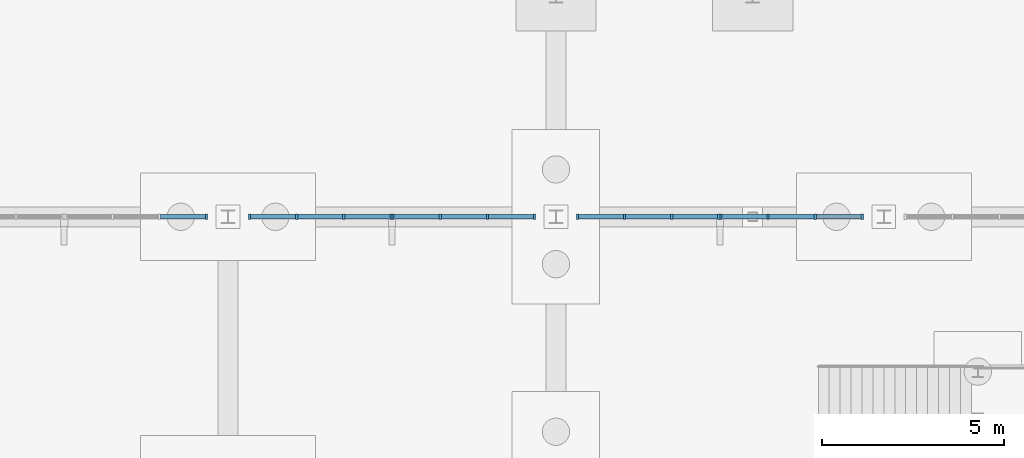
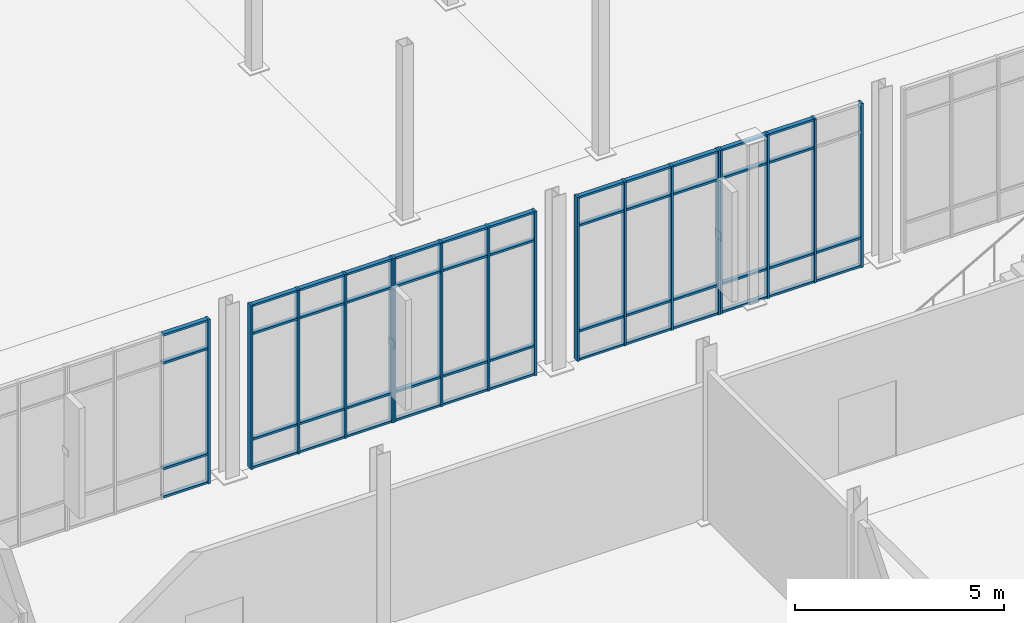
# One storey, part 38 of 94: 67 members, 5 elements without a shape of their own.
"""IFC4 building model written with IfcOpenShell, lengths in metres."""

from ifc_helpers import new_model, si_unit, direction, frame, origin, origin_2d, place, context, subcontext, project, spatial, rectangle, extrude, material, material_profile, profile_set, type_object, element, aggregate, save


model = new_model("IFC4")

# Units and contexts
model_context = context("Model", 3, precision=1e-05, world=origin(), true_north=direction((0.0, 1.0)))
body_context = subcontext(model_context, "Body", "Model", "MODEL_VIEW")
ifc_project = project(units=[si_unit("LENGTHUNIT", "METRE"), si_unit("AREAUNIT", "SQUARE_METRE"), si_unit("VOLUMEUNIT", "CUBIC_METRE"), si_unit("PLANEANGLEUNIT", "RADIAN"), si_unit("MASSUNIT", "GRAM", prefix="KILO")], contexts=[model_context])

# Site, building, storey
site_placement = place(None, origin())
site = spatial("IfcSite", under=ifc_project, at=site_placement, CompositionType="ELEMENT")
building_placement = place(site_placement, origin())
building = spatial("IfcBuilding", under=site, at=building_placement, Name="Vervanel Yard Central Library", CompositionType="ELEMENT")
storey_placement = place(building_placement, origin())
storey = spatial("IfcBuildingStorey", under=building, at=storey_placement, Name="L00", CompositionType="ELEMENT", Elevation=0.0)

# Curtain wall, member
ifc_material = material(Name="Thermally broken anodized aluminium 6063-T6", Category="aluminium")
curtain_wall_type = type_object("IfcCurtainWallType", Name="Children's Courtyard Curtain Wall", PredefinedType="NOTDEFINED", material=ifc_material)
curtain_wall_1_placement = place(storey_placement, origin())
curtain_wall_1 = element("IfcCurtainWall", 1, at=curtain_wall_1_placement, inside=storey, type_object=curtain_wall_type, Name="L00 Children's Courtyard Curtain Wall CWR-L00-155", PredefinedType="NOTDEFINED")
ifc_material_profile_1 = material_profile(ifc_material, rectangle(XDim=0.06005859375, YDim=0.159912109375, at=origin_2d()), Name="ALU 60x160", Category="aluminium")
ifc_profile_set_1 = profile_set([ifc_material_profile_1], Name="Thermally broken anodized aluminium 6063-T6")
member_type_1 = type_object("IfcMemberType", Name="Bridge & Courtyard Mullion 60x160", PredefinedType="MULLION", material=ifc_profile_set_1)
member_1_placement = place(storey_placement, frame((62.409912109375, 21.60009765625, 0.0), z_axis=(0.0, 0.0, 1.0), x_axis=(1.0, 0.0, 0.0)))
member_1 = element("IfcMember", 2, at=member_1_placement, type_object=member_type_1, Name="CWR-L00-155 Mullion 4", PredefinedType="MULLION", context=body_context, shape_type="SweptSolid", body=[
    extrude(rectangle(XDim=0.06005859375, YDim=0.159912109375, at=origin_2d()), origin(), (0.0, 0.0, 1.0), 4.780029296875),
])

# Curtain wall, members
curtain_wall_2_placement = place(storey_placement, origin())
curtain_wall_2 = element("IfcCurtainWall", 3, at=curtain_wall_2_placement, inside=storey, type_object=curtain_wall_type, Name="L00 Children's Courtyard Curtain Wall CWR-L00-156", PredefinedType="NOTDEFINED")
member_2_placement = place(storey_placement, frame((63.590087890625, 21.60009765625, 0.0), z_axis=(0.0, 0.0, 1.0), x_axis=(1.0, 0.0, 0.0)))
member_2 = element("IfcMember", 4, at=member_2_placement, type_object=member_type_1, Name="CWR-L00-156 Mullion 1", PredefinedType="MULLION", context=body_context, shape_type="SweptSolid", body=[
    extrude(rectangle(XDim=0.06005859375, YDim=0.159912109375, at=origin_2d()), origin(), (0.0, 0.0, 1.0), 4.780029296875),
])
member_3_placement = place(storey_placement, frame((64.88330078125, 21.60009765625, 0.0), z_axis=(0.0, 0.0, 1.0), x_axis=(1.0, 0.0, 0.0)))
member_3 = element("IfcMember", 5, at=member_3_placement, type_object=member_type_1, Name="CWR-L00-156 Mullion 2", PredefinedType="MULLION", context=body_context, shape_type="SweptSolid", body=[
    extrude(rectangle(XDim=0.06005859375, YDim=0.159912109375, at=origin_2d()), origin(), (0.0, 0.0, 1.0), 4.780029296875),
])
member_4_placement = place(storey_placement, frame((66.1767578125, 21.60009765625, 0.0), z_axis=(0.0, 0.0, 1.0), x_axis=(1.0, 0.0, 0.0)))
member_4 = element("IfcMember", 6, at=member_4_placement, type_object=member_type_1, Name="CWR-L00-156 Mullion 3", PredefinedType="MULLION", context=body_context, shape_type="SweptSolid", body=[
    extrude(rectangle(XDim=0.06005859375, YDim=0.159912109375, at=origin_2d()), origin(), (0.0, 0.0, 1.0), 4.780029296875),
])
member_5_placement = place(storey_placement, frame((67.469970703125, 21.60009765625, 0.0), z_axis=(0.0, 0.0, 1.0), x_axis=(1.0, 0.0, 0.0)))
member_5 = element("IfcMember", 7, at=member_5_placement, type_object=member_type_1, Name="CWR-L00-156 Mullion 4", PredefinedType="MULLION", context=body_context, shape_type="SweptSolid", body=[
    extrude(rectangle(XDim=0.06005859375, YDim=0.159912109375, at=origin_2d()), origin(), (0.0, 0.0, 1.0), 4.780029296875),
])

curtain_wall_3_placement = place(storey_placement, origin())
curtain_wall_3 = element("IfcCurtainWall", 8, at=curtain_wall_3_placement, inside=storey, type_object=curtain_wall_type, Name="L00 Children's Courtyard Curtain Wall CWR-L00-157", PredefinedType="NOTDEFINED")
member_6_placement = place(storey_placement, frame((67.530029296875, 21.60009765625, 0.0), z_axis=(0.0, 0.0, 1.0), x_axis=(1.0, 0.0, 0.0)))
member_6 = element("IfcMember", 9, at=member_6_placement, type_object=member_type_1, Name="CWR-L00-157 Mullion 1", PredefinedType="MULLION", context=body_context, shape_type="SweptSolid", body=[
    extrude(rectangle(XDim=0.06005859375, YDim=0.159912109375, at=origin_2d()), origin(), (0.0, 0.0, 1.0), 4.780029296875),
])
member_7_placement = place(storey_placement, frame((68.8232421875, 21.60009765625, 0.0), z_axis=(0.0, 0.0, 1.0), x_axis=(1.0, 0.0, 0.0)))
member_7 = element("IfcMember", 10, at=member_7_placement, type_object=member_type_1, Name="CWR-L00-157 Mullion 2", PredefinedType="MULLION", context=body_context, shape_type="SweptSolid", body=[
    extrude(rectangle(XDim=0.06005859375, YDim=0.159912109375, at=origin_2d()), origin(), (0.0, 0.0, 1.0), 4.780029296875),
])
member_8_placement = place(storey_placement, frame((70.11669921875, 21.60009765625, 0.0), z_axis=(0.0, 0.0, 1.0), x_axis=(1.0, 0.0, 0.0)))
member_8 = element("IfcMember", 11, at=member_8_placement, type_object=member_type_1, Name="CWR-L00-157 Mullion 3", PredefinedType="MULLION", context=body_context, shape_type="SweptSolid", body=[
    extrude(rectangle(XDim=0.06005859375, YDim=0.159912109375, at=origin_2d()), origin(), (0.0, 0.0, 1.0), 4.780029296875),
])
member_9_placement = place(storey_placement, frame((71.409912109375, 21.60009765625, 0.0), z_axis=(0.0, 0.0, 1.0), x_axis=(1.0, 0.0, 0.0)))
member_9 = element("IfcMember", 12, at=member_9_placement, type_object=member_type_1, Name="CWR-L00-157 Mullion 4", PredefinedType="MULLION", context=body_context, shape_type="SweptSolid", body=[
    extrude(rectangle(XDim=0.06005859375, YDim=0.159912109375, at=origin_2d()), origin(), (0.0, 0.0, 1.0), 4.780029296875),
])

curtain_wall_4_placement = place(storey_placement, origin())
curtain_wall_4 = element("IfcCurtainWall", 13, at=curtain_wall_4_placement, inside=storey, type_object=curtain_wall_type, Name="L00 Children's Courtyard Curtain Wall CWR-L00-158", PredefinedType="NOTDEFINED")
member_10_placement = place(storey_placement, frame((72.590087890625, 21.60009765625, 0.0), z_axis=(0.0, 0.0, 1.0), x_axis=(1.0, 0.0, 0.0)))
member_10 = element("IfcMember", 14, at=member_10_placement, type_object=member_type_1, Name="CWR-L00-158 Mullion 1", PredefinedType="MULLION", context=body_context, shape_type="SweptSolid", body=[
    extrude(rectangle(XDim=0.06005859375, YDim=0.159912109375, at=origin_2d()), origin(), (0.0, 0.0, 1.0), 4.780029296875),
])
member_11_placement = place(storey_placement, frame((73.88330078125, 21.60009765625, 0.0), z_axis=(0.0, 0.0, 1.0), x_axis=(1.0, 0.0, 0.0)))
member_11 = element("IfcMember", 15, at=member_11_placement, type_object=member_type_1, Name="CWR-L00-158 Mullion 2", PredefinedType="MULLION", context=body_context, shape_type="SweptSolid", body=[
    extrude(rectangle(XDim=0.06005859375, YDim=0.159912109375, at=origin_2d()), origin(), (0.0, 0.0, 1.0), 4.780029296875),
])
member_12_placement = place(storey_placement, frame((75.1767578125, 21.60009765625, 0.0), z_axis=(0.0, 0.0, 1.0), x_axis=(1.0, 0.0, 0.0)))
member_12 = element("IfcMember", 16, at=member_12_placement, type_object=member_type_1, Name="CWR-L00-158 Mullion 3", PredefinedType="MULLION", context=body_context, shape_type="SweptSolid", body=[
    extrude(rectangle(XDim=0.06005859375, YDim=0.159912109375, at=origin_2d()), origin(), (0.0, 0.0, 1.0), 4.780029296875),
])
member_13_placement = place(storey_placement, frame((76.469970703125, 21.60009765625, 0.0), z_axis=(0.0, 0.0, 1.0), x_axis=(1.0, 0.0, 0.0)))
member_13 = element("IfcMember", 17, at=member_13_placement, type_object=member_type_1, Name="CWR-L00-158 Mullion 4", PredefinedType="MULLION", context=body_context, shape_type="SweptSolid", body=[
    extrude(rectangle(XDim=0.06005859375, YDim=0.159912109375, at=origin_2d()), origin(), (0.0, 0.0, 1.0), 4.780029296875),
])

curtain_wall_5_placement = place(storey_placement, origin())
curtain_wall_5 = element("IfcCurtainWall", 18, at=curtain_wall_5_placement, inside=storey, type_object=curtain_wall_type, Name="L00 Children's Courtyard Curtain Wall CWR-L00-159", PredefinedType="NOTDEFINED")
member_14_placement = place(storey_placement, frame((76.530029296875, 21.60009765625, 0.0), z_axis=(0.0, 0.0, 1.0), x_axis=(1.0, 0.0, 0.0)))
member_14 = element("IfcMember", 19, at=member_14_placement, type_object=member_type_1, Name="CWR-L00-159 Mullion 1", PredefinedType="MULLION", context=body_context, shape_type="SweptSolid", body=[
    extrude(rectangle(XDim=0.06005859375, YDim=0.159912109375, at=origin_2d()), origin(), (0.0, 0.0, 1.0), 4.780029296875),
])
member_15_placement = place(storey_placement, frame((77.8232421875, 21.60009765625, 0.0), z_axis=(0.0, 0.0, 1.0), x_axis=(1.0, 0.0, 0.0)))
member_15 = element("IfcMember", 20, at=member_15_placement, type_object=member_type_1, Name="CWR-L00-159 Mullion 2", PredefinedType="MULLION", context=body_context, shape_type="SweptSolid", body=[
    extrude(rectangle(XDim=0.06005859375, YDim=0.159912109375, at=origin_2d()), origin(), (0.0, 0.0, 1.0), 4.780029296875),
])
member_16_placement = place(storey_placement, frame((79.11669921875, 21.60009765625, 0.0), z_axis=(0.0, 0.0, 1.0), x_axis=(1.0, 0.0, 0.0)))
member_16 = element("IfcMember", 21, at=member_16_placement, type_object=member_type_1, Name="CWR-L00-159 Mullion 3", PredefinedType="MULLION", context=body_context, shape_type="SweptSolid", body=[
    extrude(rectangle(XDim=0.06005859375, YDim=0.159912109375, at=origin_2d()), origin(), (0.0, 0.0, 1.0), 4.780029296875),
])
member_17_placement = place(storey_placement, frame((80.409912109375, 21.60009765625, 0.0), z_axis=(0.0, 0.0, 1.0), x_axis=(1.0, 0.0, 0.0)))
member_17 = element("IfcMember", 22, at=member_17_placement, type_object=member_type_1, Name="CWR-L00-159 Mullion 4", PredefinedType="MULLION", context=body_context, shape_type="SweptSolid", body=[
    extrude(rectangle(XDim=0.06005859375, YDim=0.159912109375, at=origin_2d()), origin(), (0.0, 0.0, 1.0), 4.780029296875),
])

# Member
ifc_material_profile_2 = material_profile(ifc_material, rectangle(XDim=0.06005859375, YDim=0.1201171875, at=origin_2d()), Name="ALU 60x120", Category="aluminium")
ifc_profile_set_2 = profile_set([ifc_material_profile_2], Name="Thermally broken anodized aluminium 6063-T6")
member_type_2 = type_object("IfcMemberType", Name="Bridge & Courtyard Transom 60x120", PredefinedType="NOTDEFINED", material=ifc_profile_set_2)
member_18_placement = place(storey_placement, frame((61.146728515625, 21.60009765625, 0.030029296875), z_axis=(1.0, 0.0, 0.0), x_axis=(0.0, 0.0, 1.0)))
member_18 = element("IfcMember", 23, at=member_18_placement, type_object=member_type_2, Name="CWR-L00-155 Transom B3-T1", ObjectType="TRANSOM", PredefinedType="USERDEFINED", context=body_context, shape_type="SweptSolid", body=[
    extrude(rectangle(XDim=0.06005859375, YDim=0.1201171875, at=origin_2d()), origin(), (0.0, 0.0, 1.0), 1.233154296875),
])

member_19_placement = place(storey_placement, frame((61.146728515625, 21.60009765625, 0.85009765625), z_axis=(1.0, 0.0, 0.0), x_axis=(0.0, 0.0, 1.0)))
member_19 = element("IfcMember", 24, at=member_19_placement, type_object=member_type_2, Name="CWR-L00-155 Transom B3-T2", ObjectType="TRANSOM", PredefinedType="USERDEFINED", context=body_context, shape_type="SweptSolid", body=[
    extrude(rectangle(XDim=0.06005859375, YDim=0.1201171875, at=origin_2d()), origin(), (0.0, 0.0, 1.0), 1.233154296875),
])

member_20_placement = place(storey_placement, frame((61.146728515625, 21.60009765625, 3.929931640625), z_axis=(1.0, 0.0, 0.0), x_axis=(0.0, 0.0, 1.0)))
member_20 = element("IfcMember", 25, at=member_20_placement, type_object=member_type_2, Name="CWR-L00-155 Transom B3-T3", ObjectType="TRANSOM", PredefinedType="USERDEFINED", context=body_context, shape_type="SweptSolid", body=[
    extrude(rectangle(XDim=0.06005859375, YDim=0.1201171875, at=origin_2d()), origin(), (0.0, 0.0, 1.0), 1.233154296875),
])

member_21_placement = place(storey_placement, frame((61.146728515625, 21.60009765625, 4.75), z_axis=(1.0, 0.0, 0.0), x_axis=(0.0, 0.0, 1.0)))
member_21 = element("IfcMember", 26, at=member_21_placement, type_object=member_type_2, Name="CWR-L00-155 Transom B3-T4", ObjectType="TRANSOM", PredefinedType="USERDEFINED", context=body_context, shape_type="SweptSolid", body=[
    extrude(rectangle(XDim=0.06005859375, YDim=0.1201171875, at=origin_2d()), origin(), (0.0, 0.0, 1.0), 1.233154296875),
])

aggregate(curtain_wall_1, [member_1, member_18, member_19, member_20, member_21])

member_22_placement = place(storey_placement, frame((63.6201171875, 21.60009765625, 0.030029296875), z_axis=(1.0, 0.0, 0.0), x_axis=(0.0, 0.0, 1.0)))
member_22 = element("IfcMember", 27, at=member_22_placement, type_object=member_type_2, Name="CWR-L00-156 Transom B1-T1", ObjectType="TRANSOM", PredefinedType="USERDEFINED", context=body_context, shape_type="SweptSolid", body=[
    extrude(rectangle(XDim=0.06005859375, YDim=0.1201171875, at=origin_2d()), origin(), (0.0, 0.0, 1.0), 1.233154296875),
])

member_23_placement = place(storey_placement, frame((63.6201171875, 21.60009765625, 0.85009765625), z_axis=(1.0, 0.0, 0.0), x_axis=(0.0, 0.0, 1.0)))
member_23 = element("IfcMember", 28, at=member_23_placement, type_object=member_type_2, Name="CWR-L00-156 Transom B1-T2", ObjectType="TRANSOM", PredefinedType="USERDEFINED", context=body_context, shape_type="SweptSolid", body=[
    extrude(rectangle(XDim=0.06005859375, YDim=0.1201171875, at=origin_2d()), origin(), (0.0, 0.0, 1.0), 1.233154296875),
])

member_24_placement = place(storey_placement, frame((63.6201171875, 21.60009765625, 3.929931640625), z_axis=(1.0, 0.0, 0.0), x_axis=(0.0, 0.0, 1.0)))
member_24 = element("IfcMember", 29, at=member_24_placement, type_object=member_type_2, Name="CWR-L00-156 Transom B1-T3", ObjectType="TRANSOM", PredefinedType="USERDEFINED", context=body_context, shape_type="SweptSolid", body=[
    extrude(rectangle(XDim=0.06005859375, YDim=0.1201171875, at=origin_2d()), origin(), (0.0, 0.0, 1.0), 1.233154296875),
])

member_25_placement = place(storey_placement, frame((63.6201171875, 21.60009765625, 4.75), z_axis=(1.0, 0.0, 0.0), x_axis=(0.0, 0.0, 1.0)))
member_25 = element("IfcMember", 30, at=member_25_placement, type_object=member_type_2, Name="CWR-L00-156 Transom B1-T4", ObjectType="TRANSOM", PredefinedType="USERDEFINED", context=body_context, shape_type="SweptSolid", body=[
    extrude(rectangle(XDim=0.06005859375, YDim=0.1201171875, at=origin_2d()), origin(), (0.0, 0.0, 1.0), 1.233154296875),
])

member_26_placement = place(storey_placement, frame((64.913330078125, 21.60009765625, 0.030029296875), z_axis=(1.0, 0.0, 0.0), x_axis=(0.0, 0.0, 1.0)))
member_26 = element("IfcMember", 31, at=member_26_placement, type_object=member_type_2, Name="CWR-L00-156 Transom B2-T1", ObjectType="TRANSOM", PredefinedType="USERDEFINED", context=body_context, shape_type="SweptSolid", body=[
    extrude(rectangle(XDim=0.06005859375, YDim=0.1201171875, at=origin_2d()), origin(), (0.0, 0.0, 1.0), 1.2333984375),
])

member_27_placement = place(storey_placement, frame((64.913330078125, 21.60009765625, 0.85009765625), z_axis=(1.0, 0.0, 0.0), x_axis=(0.0, 0.0, 1.0)))
member_27 = element("IfcMember", 32, at=member_27_placement, type_object=member_type_2, Name="CWR-L00-156 Transom B2-T2", ObjectType="TRANSOM", PredefinedType="USERDEFINED", context=body_context, shape_type="SweptSolid", body=[
    extrude(rectangle(XDim=0.06005859375, YDim=0.1201171875, at=origin_2d()), origin(), (0.0, 0.0, 1.0), 1.2333984375),
])

member_28_placement = place(storey_placement, frame((64.913330078125, 21.60009765625, 3.929931640625), z_axis=(1.0, 0.0, 0.0), x_axis=(0.0, 0.0, 1.0)))
member_28 = element("IfcMember", 33, at=member_28_placement, type_object=member_type_2, Name="CWR-L00-156 Transom B2-T3", ObjectType="TRANSOM", PredefinedType="USERDEFINED", context=body_context, shape_type="SweptSolid", body=[
    extrude(rectangle(XDim=0.06005859375, YDim=0.1201171875, at=origin_2d()), origin(), (0.0, 0.0, 1.0), 1.2333984375),
])

member_29_placement = place(storey_placement, frame((64.913330078125, 21.60009765625, 4.75), z_axis=(1.0, 0.0, 0.0), x_axis=(0.0, 0.0, 1.0)))
member_29 = element("IfcMember", 34, at=member_29_placement, type_object=member_type_2, Name="CWR-L00-156 Transom B2-T4", ObjectType="TRANSOM", PredefinedType="USERDEFINED", context=body_context, shape_type="SweptSolid", body=[
    extrude(rectangle(XDim=0.06005859375, YDim=0.1201171875, at=origin_2d()), origin(), (0.0, 0.0, 1.0), 1.2333984375),
])

member_30_placement = place(storey_placement, frame((66.206787109375, 21.60009765625, 0.030029296875), z_axis=(1.0, 0.0, 0.0), x_axis=(0.0, 0.0, 1.0)))
member_30 = element("IfcMember", 35, at=member_30_placement, type_object=member_type_2, Name="CWR-L00-156 Transom B3-T1", ObjectType="TRANSOM", PredefinedType="USERDEFINED", context=body_context, shape_type="SweptSolid", body=[
    extrude(rectangle(XDim=0.06005859375, YDim=0.1201171875, at=origin_2d()), origin(), (0.0, 0.0, 1.0), 1.233154296875),
])

member_31_placement = place(storey_placement, frame((66.206787109375, 21.60009765625, 0.85009765625), z_axis=(1.0, 0.0, 0.0), x_axis=(0.0, 0.0, 1.0)))
member_31 = element("IfcMember", 36, at=member_31_placement, type_object=member_type_2, Name="CWR-L00-156 Transom B3-T2", ObjectType="TRANSOM", PredefinedType="USERDEFINED", context=body_context, shape_type="SweptSolid", body=[
    extrude(rectangle(XDim=0.06005859375, YDim=0.1201171875, at=origin_2d()), origin(), (0.0, 0.0, 1.0), 1.233154296875),
])

member_32_placement = place(storey_placement, frame((66.206787109375, 21.60009765625, 3.929931640625), z_axis=(1.0, 0.0, 0.0), x_axis=(0.0, 0.0, 1.0)))
member_32 = element("IfcMember", 37, at=member_32_placement, type_object=member_type_2, Name="CWR-L00-156 Transom B3-T3", ObjectType="TRANSOM", PredefinedType="USERDEFINED", context=body_context, shape_type="SweptSolid", body=[
    extrude(rectangle(XDim=0.06005859375, YDim=0.1201171875, at=origin_2d()), origin(), (0.0, 0.0, 1.0), 1.233154296875),
])

member_33_placement = place(storey_placement, frame((66.206787109375, 21.60009765625, 4.75), z_axis=(1.0, 0.0, 0.0), x_axis=(0.0, 0.0, 1.0)))
member_33 = element("IfcMember", 38, at=member_33_placement, type_object=member_type_2, Name="CWR-L00-156 Transom B3-T4", ObjectType="TRANSOM", PredefinedType="USERDEFINED", context=body_context, shape_type="SweptSolid", body=[
    extrude(rectangle(XDim=0.06005859375, YDim=0.1201171875, at=origin_2d()), origin(), (0.0, 0.0, 1.0), 1.233154296875),
])

aggregate(curtain_wall_2, [member_2, member_3, member_4, member_5, member_22, member_23, member_24, member_25, member_26, member_27, member_28, member_29, member_30, member_31, member_32, member_33])

member_34_placement = place(storey_placement, frame((67.56005859375, 21.60009765625, 0.030029296875), z_axis=(1.0, 0.0, 0.0), x_axis=(0.0, 0.0, 1.0)))
member_34 = element("IfcMember", 39, at=member_34_placement, type_object=member_type_2, Name="CWR-L00-157 Transom B1-T1", ObjectType="TRANSOM", PredefinedType="USERDEFINED", context=body_context, shape_type="SweptSolid", body=[
    extrude(rectangle(XDim=0.06005859375, YDim=0.1201171875, at=origin_2d()), origin(), (0.0, 0.0, 1.0), 1.233154296875),
])

member_35_placement = place(storey_placement, frame((67.56005859375, 21.60009765625, 0.85009765625), z_axis=(1.0, 0.0, 0.0), x_axis=(0.0, 0.0, 1.0)))
member_35 = element("IfcMember", 40, at=member_35_placement, type_object=member_type_2, Name="CWR-L00-157 Transom B1-T2", ObjectType="TRANSOM", PredefinedType="USERDEFINED", context=body_context, shape_type="SweptSolid", body=[
    extrude(rectangle(XDim=0.06005859375, YDim=0.1201171875, at=origin_2d()), origin(), (0.0, 0.0, 1.0), 1.233154296875),
])

member_36_placement = place(storey_placement, frame((67.56005859375, 21.60009765625, 3.929931640625), z_axis=(1.0, 0.0, 0.0), x_axis=(0.0, 0.0, 1.0)))
member_36 = element("IfcMember", 41, at=member_36_placement, type_object=member_type_2, Name="CWR-L00-157 Transom B1-T3", ObjectType="TRANSOM", PredefinedType="USERDEFINED", context=body_context, shape_type="SweptSolid", body=[
    extrude(rectangle(XDim=0.06005859375, YDim=0.1201171875, at=origin_2d()), origin(), (0.0, 0.0, 1.0), 1.233154296875),
])

member_37_placement = place(storey_placement, frame((67.56005859375, 21.60009765625, 4.75), z_axis=(1.0, 0.0, 0.0), x_axis=(0.0, 0.0, 1.0)))
member_37 = element("IfcMember", 42, at=member_37_placement, type_object=member_type_2, Name="CWR-L00-157 Transom B1-T4", ObjectType="TRANSOM", PredefinedType="USERDEFINED", context=body_context, shape_type="SweptSolid", body=[
    extrude(rectangle(XDim=0.06005859375, YDim=0.1201171875, at=origin_2d()), origin(), (0.0, 0.0, 1.0), 1.233154296875),
])

member_38_placement = place(storey_placement, frame((68.853271484375, 21.60009765625, 0.030029296875), z_axis=(1.0, 0.0, 0.0), x_axis=(0.0, 0.0, 1.0)))
member_38 = element("IfcMember", 43, at=member_38_placement, type_object=member_type_2, Name="CWR-L00-157 Transom B2-T1", ObjectType="TRANSOM", PredefinedType="USERDEFINED", context=body_context, shape_type="SweptSolid", body=[
    extrude(rectangle(XDim=0.06005859375, YDim=0.1201171875, at=origin_2d()), origin(), (0.0, 0.0, 1.0), 1.2333984375),
])

member_39_placement = place(storey_placement, frame((68.853271484375, 21.60009765625, 0.85009765625), z_axis=(1.0, 0.0, 0.0), x_axis=(0.0, 0.0, 1.0)))
member_39 = element("IfcMember", 44, at=member_39_placement, type_object=member_type_2, Name="CWR-L00-157 Transom B2-T2", ObjectType="TRANSOM", PredefinedType="USERDEFINED", context=body_context, shape_type="SweptSolid", body=[
    extrude(rectangle(XDim=0.06005859375, YDim=0.1201171875, at=origin_2d()), origin(), (0.0, 0.0, 1.0), 1.2333984375),
])

member_40_placement = place(storey_placement, frame((68.853271484375, 21.60009765625, 3.929931640625), z_axis=(1.0, 0.0, 0.0), x_axis=(0.0, 0.0, 1.0)))
member_40 = element("IfcMember", 45, at=member_40_placement, type_object=member_type_2, Name="CWR-L00-157 Transom B2-T3", ObjectType="TRANSOM", PredefinedType="USERDEFINED", context=body_context, shape_type="SweptSolid", body=[
    extrude(rectangle(XDim=0.06005859375, YDim=0.1201171875, at=origin_2d()), origin(), (0.0, 0.0, 1.0), 1.2333984375),
])

member_41_placement = place(storey_placement, frame((68.853271484375, 21.60009765625, 4.75), z_axis=(1.0, 0.0, 0.0), x_axis=(0.0, 0.0, 1.0)))
member_41 = element("IfcMember", 46, at=member_41_placement, type_object=member_type_2, Name="CWR-L00-157 Transom B2-T4", ObjectType="TRANSOM", PredefinedType="USERDEFINED", context=body_context, shape_type="SweptSolid", body=[
    extrude(rectangle(XDim=0.06005859375, YDim=0.1201171875, at=origin_2d()), origin(), (0.0, 0.0, 1.0), 1.2333984375),
])

member_42_placement = place(storey_placement, frame((70.146728515625, 21.60009765625, 0.030029296875), z_axis=(1.0, 0.0, 0.0), x_axis=(0.0, 0.0, 1.0)))
member_42 = element("IfcMember", 47, at=member_42_placement, type_object=member_type_2, Name="CWR-L00-157 Transom B3-T1", ObjectType="TRANSOM", PredefinedType="USERDEFINED", context=body_context, shape_type="SweptSolid", body=[
    extrude(rectangle(XDim=0.06005859375, YDim=0.1201171875, at=origin_2d()), origin(), (0.0, 0.0, 1.0), 1.233154296875),
])

member_43_placement = place(storey_placement, frame((70.146728515625, 21.60009765625, 0.85009765625), z_axis=(1.0, 0.0, 0.0), x_axis=(0.0, 0.0, 1.0)))
member_43 = element("IfcMember", 48, at=member_43_placement, type_object=member_type_2, Name="CWR-L00-157 Transom B3-T2", ObjectType="TRANSOM", PredefinedType="USERDEFINED", context=body_context, shape_type="SweptSolid", body=[
    extrude(rectangle(XDim=0.06005859375, YDim=0.1201171875, at=origin_2d()), origin(), (0.0, 0.0, 1.0), 1.233154296875),
])

member_44_placement = place(storey_placement, frame((70.146728515625, 21.60009765625, 3.929931640625), z_axis=(1.0, 0.0, 0.0), x_axis=(0.0, 0.0, 1.0)))
member_44 = element("IfcMember", 49, at=member_44_placement, type_object=member_type_2, Name="CWR-L00-157 Transom B3-T3", ObjectType="TRANSOM", PredefinedType="USERDEFINED", context=body_context, shape_type="SweptSolid", body=[
    extrude(rectangle(XDim=0.06005859375, YDim=0.1201171875, at=origin_2d()), origin(), (0.0, 0.0, 1.0), 1.233154296875),
])

member_45_placement = place(storey_placement, frame((70.146728515625, 21.60009765625, 4.75), z_axis=(1.0, 0.0, 0.0), x_axis=(0.0, 0.0, 1.0)))
member_45 = element("IfcMember", 50, at=member_45_placement, type_object=member_type_2, Name="CWR-L00-157 Transom B3-T4", ObjectType="TRANSOM", PredefinedType="USERDEFINED", context=body_context, shape_type="SweptSolid", body=[
    extrude(rectangle(XDim=0.06005859375, YDim=0.1201171875, at=origin_2d()), origin(), (0.0, 0.0, 1.0), 1.233154296875),
])

aggregate(curtain_wall_3, [member_6, member_7, member_8, member_9, member_34, member_35, member_36, member_37, member_38, member_39, member_40, member_41, member_42, member_43, member_44, member_45])

member_46_placement = place(storey_placement, frame((72.6201171875, 21.60009765625, 0.030029296875), z_axis=(1.0, 0.0, 0.0), x_axis=(0.0, 0.0, 1.0)))
member_46 = element("IfcMember", 51, at=member_46_placement, type_object=member_type_2, Name="CWR-L00-158 Transom B1-T1", ObjectType="TRANSOM", PredefinedType="USERDEFINED", context=body_context, shape_type="SweptSolid", body=[
    extrude(rectangle(XDim=0.06005859375, YDim=0.1201171875, at=origin_2d()), origin(), (0.0, 0.0, 1.0), 1.233154296875),
])

member_47_placement = place(storey_placement, frame((72.6201171875, 21.60009765625, 0.85009765625), z_axis=(1.0, 0.0, 0.0), x_axis=(0.0, 0.0, 1.0)))
member_47 = element("IfcMember", 52, at=member_47_placement, type_object=member_type_2, Name="CWR-L00-158 Transom B1-T2", ObjectType="TRANSOM", PredefinedType="USERDEFINED", context=body_context, shape_type="SweptSolid", body=[
    extrude(rectangle(XDim=0.06005859375, YDim=0.1201171875, at=origin_2d()), origin(), (0.0, 0.0, 1.0), 1.233154296875),
])

member_48_placement = place(storey_placement, frame((72.6201171875, 21.60009765625, 3.929931640625), z_axis=(1.0, 0.0, 0.0), x_axis=(0.0, 0.0, 1.0)))
member_48 = element("IfcMember", 53, at=member_48_placement, type_object=member_type_2, Name="CWR-L00-158 Transom B1-T3", ObjectType="TRANSOM", PredefinedType="USERDEFINED", context=body_context, shape_type="SweptSolid", body=[
    extrude(rectangle(XDim=0.06005859375, YDim=0.1201171875, at=origin_2d()), origin(), (0.0, 0.0, 1.0), 1.233154296875),
])

member_49_placement = place(storey_placement, frame((72.6201171875, 21.60009765625, 4.75), z_axis=(1.0, 0.0, 0.0), x_axis=(0.0, 0.0, 1.0)))
member_49 = element("IfcMember", 54, at=member_49_placement, type_object=member_type_2, Name="CWR-L00-158 Transom B1-T4", ObjectType="TRANSOM", PredefinedType="USERDEFINED", context=body_context, shape_type="SweptSolid", body=[
    extrude(rectangle(XDim=0.06005859375, YDim=0.1201171875, at=origin_2d()), origin(), (0.0, 0.0, 1.0), 1.233154296875),
])

member_50_placement = place(storey_placement, frame((73.913330078125, 21.60009765625, 0.030029296875), z_axis=(1.0, 0.0, 0.0), x_axis=(0.0, 0.0, 1.0)))
member_50 = element("IfcMember", 55, at=member_50_placement, type_object=member_type_2, Name="CWR-L00-158 Transom B2-T1", ObjectType="TRANSOM", PredefinedType="USERDEFINED", context=body_context, shape_type="SweptSolid", body=[
    extrude(rectangle(XDim=0.06005859375, YDim=0.1201171875, at=origin_2d()), origin(), (0.0, 0.0, 1.0), 1.2333984375),
])

member_51_placement = place(storey_placement, frame((73.913330078125, 21.60009765625, 0.85009765625), z_axis=(1.0, 0.0, 0.0), x_axis=(0.0, 0.0, 1.0)))
member_51 = element("IfcMember", 56, at=member_51_placement, type_object=member_type_2, Name="CWR-L00-158 Transom B2-T2", ObjectType="TRANSOM", PredefinedType="USERDEFINED", context=body_context, shape_type="SweptSolid", body=[
    extrude(rectangle(XDim=0.06005859375, YDim=0.1201171875, at=origin_2d()), origin(), (0.0, 0.0, 1.0), 1.2333984375),
])

member_52_placement = place(storey_placement, frame((73.913330078125, 21.60009765625, 3.929931640625), z_axis=(1.0, 0.0, 0.0), x_axis=(0.0, 0.0, 1.0)))
member_52 = element("IfcMember", 57, at=member_52_placement, type_object=member_type_2, Name="CWR-L00-158 Transom B2-T3", ObjectType="TRANSOM", PredefinedType="USERDEFINED", context=body_context, shape_type="SweptSolid", body=[
    extrude(rectangle(XDim=0.06005859375, YDim=0.1201171875, at=origin_2d()), origin(), (0.0, 0.0, 1.0), 1.2333984375),
])

member_53_placement = place(storey_placement, frame((73.913330078125, 21.60009765625, 4.75), z_axis=(1.0, 0.0, 0.0), x_axis=(0.0, 0.0, 1.0)))
member_53 = element("IfcMember", 58, at=member_53_placement, type_object=member_type_2, Name="CWR-L00-158 Transom B2-T4", ObjectType="TRANSOM", PredefinedType="USERDEFINED", context=body_context, shape_type="SweptSolid", body=[
    extrude(rectangle(XDim=0.06005859375, YDim=0.1201171875, at=origin_2d()), origin(), (0.0, 0.0, 1.0), 1.2333984375),
])

member_54_placement = place(storey_placement, frame((75.206787109375, 21.60009765625, 0.030029296875), z_axis=(1.0, 0.0, 0.0), x_axis=(0.0, 0.0, 1.0)))
member_54 = element("IfcMember", 59, at=member_54_placement, type_object=member_type_2, Name="CWR-L00-158 Transom B3-T1", ObjectType="TRANSOM", PredefinedType="USERDEFINED", context=body_context, shape_type="SweptSolid", body=[
    extrude(rectangle(XDim=0.06005859375, YDim=0.1201171875, at=origin_2d()), origin(), (0.0, 0.0, 1.0), 1.233154296875),
])

member_55_placement = place(storey_placement, frame((75.206787109375, 21.60009765625, 0.85009765625), z_axis=(1.0, 0.0, 0.0), x_axis=(0.0, 0.0, 1.0)))
member_55 = element("IfcMember", 60, at=member_55_placement, type_object=member_type_2, Name="CWR-L00-158 Transom B3-T2", ObjectType="TRANSOM", PredefinedType="USERDEFINED", context=body_context, shape_type="SweptSolid", body=[
    extrude(rectangle(XDim=0.06005859375, YDim=0.1201171875, at=origin_2d()), origin(), (0.0, 0.0, 1.0), 1.233154296875),
])

member_56_placement = place(storey_placement, frame((75.206787109375, 21.60009765625, 3.929931640625), z_axis=(1.0, 0.0, 0.0), x_axis=(0.0, 0.0, 1.0)))
member_56 = element("IfcMember", 61, at=member_56_placement, type_object=member_type_2, Name="CWR-L00-158 Transom B3-T3", ObjectType="TRANSOM", PredefinedType="USERDEFINED", context=body_context, shape_type="SweptSolid", body=[
    extrude(rectangle(XDim=0.06005859375, YDim=0.1201171875, at=origin_2d()), origin(), (0.0, 0.0, 1.0), 1.233154296875),
])

member_57_placement = place(storey_placement, frame((75.206787109375, 21.60009765625, 4.75), z_axis=(1.0, 0.0, 0.0), x_axis=(0.0, 0.0, 1.0)))
member_57 = element("IfcMember", 62, at=member_57_placement, type_object=member_type_2, Name="CWR-L00-158 Transom B3-T4", ObjectType="TRANSOM", PredefinedType="USERDEFINED", context=body_context, shape_type="SweptSolid", body=[
    extrude(rectangle(XDim=0.06005859375, YDim=0.1201171875, at=origin_2d()), origin(), (0.0, 0.0, 1.0), 1.233154296875),
])

aggregate(curtain_wall_4, [member_10, member_11, member_12, member_13, member_46, member_47, member_48, member_49, member_50, member_51, member_52, member_53, member_54, member_55, member_56, member_57])

member_58_placement = place(storey_placement, frame((76.56005859375, 21.60009765625, 0.030029296875), z_axis=(1.0, 0.0, 0.0), x_axis=(0.0, 0.0, 1.0)))
member_58 = element("IfcMember", 63, at=member_58_placement, type_object=member_type_2, Name="CWR-L00-159 Transom B1-T1", ObjectType="TRANSOM", PredefinedType="USERDEFINED", context=body_context, shape_type="SweptSolid", body=[
    extrude(rectangle(XDim=0.06005859375, YDim=0.1201171875, at=origin_2d()), origin(), (0.0, 0.0, 1.0), 1.233154296875),
])

member_59_placement = place(storey_placement, frame((76.56005859375, 21.60009765625, 0.85009765625), z_axis=(1.0, 0.0, 0.0), x_axis=(0.0, 0.0, 1.0)))
member_59 = element("IfcMember", 64, at=member_59_placement, type_object=member_type_2, Name="CWR-L00-159 Transom B1-T2", ObjectType="TRANSOM", PredefinedType="USERDEFINED", context=body_context, shape_type="SweptSolid", body=[
    extrude(rectangle(XDim=0.06005859375, YDim=0.1201171875, at=origin_2d()), origin(), (0.0, 0.0, 1.0), 1.233154296875),
])

member_60_placement = place(storey_placement, frame((76.56005859375, 21.60009765625, 3.929931640625), z_axis=(1.0, 0.0, 0.0), x_axis=(0.0, 0.0, 1.0)))
member_60 = element("IfcMember", 65, at=member_60_placement, type_object=member_type_2, Name="CWR-L00-159 Transom B1-T3", ObjectType="TRANSOM", PredefinedType="USERDEFINED", context=body_context, shape_type="SweptSolid", body=[
    extrude(rectangle(XDim=0.06005859375, YDim=0.1201171875, at=origin_2d()), origin(), (0.0, 0.0, 1.0), 1.233154296875),
])

member_61_placement = place(storey_placement, frame((76.56005859375, 21.60009765625, 4.75), z_axis=(1.0, 0.0, 0.0), x_axis=(0.0, 0.0, 1.0)))
member_61 = element("IfcMember", 66, at=member_61_placement, type_object=member_type_2, Name="CWR-L00-159 Transom B1-T4", ObjectType="TRANSOM", PredefinedType="USERDEFINED", context=body_context, shape_type="SweptSolid", body=[
    extrude(rectangle(XDim=0.06005859375, YDim=0.1201171875, at=origin_2d()), origin(), (0.0, 0.0, 1.0), 1.233154296875),
])

member_62_placement = place(storey_placement, frame((77.853271484375, 21.60009765625, 0.030029296875), z_axis=(1.0, 0.0, 0.0), x_axis=(0.0, 0.0, 1.0)))
member_62 = element("IfcMember", 67, at=member_62_placement, type_object=member_type_2, Name="CWR-L00-159 Transom B2-T1", ObjectType="TRANSOM", PredefinedType="USERDEFINED", context=body_context, shape_type="SweptSolid", body=[
    extrude(rectangle(XDim=0.06005859375, YDim=0.1201171875, at=origin_2d()), origin(), (0.0, 0.0, 1.0), 1.2333984375),
])

member_63_placement = place(storey_placement, frame((77.853271484375, 21.60009765625, 0.85009765625), z_axis=(1.0, 0.0, 0.0), x_axis=(0.0, 0.0, 1.0)))
member_63 = element("IfcMember", 68, at=member_63_placement, type_object=member_type_2, Name="CWR-L00-159 Transom B2-T2", ObjectType="TRANSOM", PredefinedType="USERDEFINED", context=body_context, shape_type="SweptSolid", body=[
    extrude(rectangle(XDim=0.06005859375, YDim=0.1201171875, at=origin_2d()), origin(), (0.0, 0.0, 1.0), 1.2333984375),
])

member_64_placement = place(storey_placement, frame((77.853271484375, 21.60009765625, 3.929931640625), z_axis=(1.0, 0.0, 0.0), x_axis=(0.0, 0.0, 1.0)))
member_64 = element("IfcMember", 69, at=member_64_placement, type_object=member_type_2, Name="CWR-L00-159 Transom B2-T3", ObjectType="TRANSOM", PredefinedType="USERDEFINED", context=body_context, shape_type="SweptSolid", body=[
    extrude(rectangle(XDim=0.06005859375, YDim=0.1201171875, at=origin_2d()), origin(), (0.0, 0.0, 1.0), 1.2333984375),
])

member_65_placement = place(storey_placement, frame((77.853271484375, 21.60009765625, 4.75), z_axis=(1.0, 0.0, 0.0), x_axis=(0.0, 0.0, 1.0)))
member_65 = element("IfcMember", 70, at=member_65_placement, type_object=member_type_2, Name="CWR-L00-159 Transom B2-T4", ObjectType="TRANSOM", PredefinedType="USERDEFINED", context=body_context, shape_type="SweptSolid", body=[
    extrude(rectangle(XDim=0.06005859375, YDim=0.1201171875, at=origin_2d()), origin(), (0.0, 0.0, 1.0), 1.2333984375),
])

member_66_placement = place(storey_placement, frame((79.146728515625, 21.60009765625, 0.030029296875), z_axis=(1.0, 0.0, 0.0), x_axis=(0.0, 0.0, 1.0)))
member_66 = element("IfcMember", 71, at=member_66_placement, type_object=member_type_2, Name="CWR-L00-159 Transom B3-T1", ObjectType="TRANSOM", PredefinedType="USERDEFINED", context=body_context, shape_type="SweptSolid", body=[
    extrude(rectangle(XDim=0.06005859375, YDim=0.1201171875, at=origin_2d()), origin(), (0.0, 0.0, 1.0), 1.233154296875),
])

member_67_placement = place(storey_placement, frame((79.146728515625, 21.60009765625, 0.85009765625), z_axis=(1.0, 0.0, 0.0), x_axis=(0.0, 0.0, 1.0)))
member_67 = element("IfcMember", 72, at=member_67_placement, type_object=member_type_2, Name="CWR-L00-159 Transom B3-T2", ObjectType="TRANSOM", PredefinedType="USERDEFINED", context=body_context, shape_type="SweptSolid", body=[
    extrude(rectangle(XDim=0.06005859375, YDim=0.1201171875, at=origin_2d()), origin(), (0.0, 0.0, 1.0), 1.233154296875),
])

aggregate(curtain_wall_5, [member_14, member_15, member_16, member_17, member_58, member_59, member_60, member_61, member_62, member_63, member_64, member_65, member_66, member_67])

save(model, "model.ifc")
